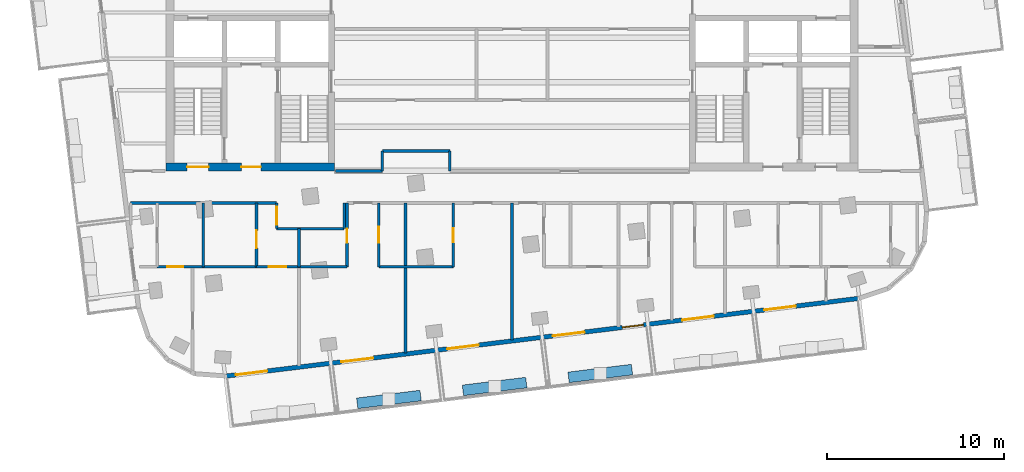
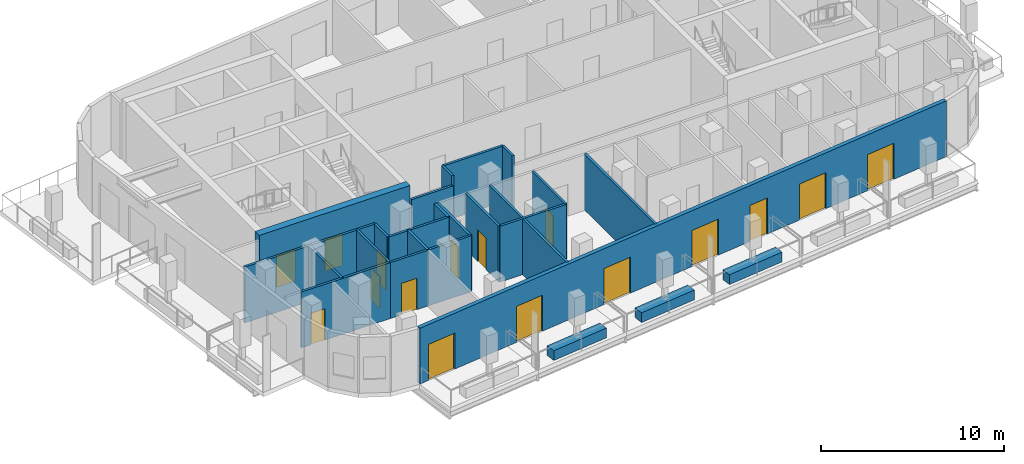
# One storey, part 3 of 11: 25 walls, 15 doors, 1 window, 16 openings.
"""IFC4 building model written with IfcOpenShell, lengths in metres."""

from ifc_helpers import new_model, si_unit, direction, frame, frame_2d, origin, place, context, subcontext, project, spatial, rectangle, extrude, material, layer, layer_set, type_object, element, fill, save


model = new_model("IFC4")

# Units and contexts
model_context = context("Model", 3, precision=1e-05, world=origin(), true_north=direction((0.0, 1.0)))
body_context = subcontext(model_context, "Body", "Model", "MODEL_VIEW")
ifc_project = project(units=[si_unit("LENGTHUNIT", "METRE"), si_unit("AREAUNIT", "SQUARE_METRE"), si_unit("VOLUMEUNIT", "CUBIC_METRE"), si_unit("PLANEANGLEUNIT", "RADIAN"), si_unit("MASSUNIT", "GRAM", prefix="KILO")], contexts=[model_context])

# Site, building, storey
site_placement = place(None, origin())
site = spatial("IfcSite", under=ifc_project, at=site_placement, CompositionType="ELEMENT")
building_placement = place(site_placement, origin())
building = spatial("IfcBuilding", under=site, at=building_placement, Name="Torana Hotel and Residences", CompositionType="ELEMENT")
storey_placement = place(building_placement, frame((0.0, 0.0, 322.60009765625)))
storey = spatial("IfcBuildingStorey", under=building, at=storey_placement, Name="L85", CompositionType="ELEMENT", Elevation=322.60009765625)

# Wall, openings, doors
ifc_material_1 = material(Name="Concrete C60/75", Category="concrete")
ifc_layer_1 = layer(ifc_material_1, 0.449951171875)
ifc_layer_set_1 = layer_set([ifc_layer_1], Name="CORE WALL 450 C60/75")
wall_type_1 = type_object("IfcWallType", Name="CORE WALL 450 C60/75", PredefinedType="SHEAR", material=ifc_layer_set_1)
wall_1_placement = place(storey_placement, frame((-19.5, -14.77490234375, 0.0), z_axis=(0.0, 0.0, 1.0), x_axis=(1.0, 0.0, 0.0)))
wall_1 = element("IfcWall", 1, at=wall_1_placement, inside=storey, type_object=wall_type_1, Name="Core wall W front", PredefinedType="SHEAR", context=body_context, shape_type="SweptSolid", body=[
    extrude(rectangle(XDim=9.5, YDim=0.449951171875, at=frame_2d((4.75, 0.0))), origin(), (0.0, 0.0, 1.0), 4.0),
])
opening_1_placement = place(wall_1_placement, frame((1.199951171875, 0.0, 0.0)))
opening_1 = element("IfcOpeningElement", 2, at=opening_1_placement, cuts=wall_1, Name="Opening L85-04", PredefinedType="OPENING", context=body_context, shape_type="SweptSolid", body=[
    extrude(rectangle(XDim=1.199951171875, YDim=2.10009765625, at=frame_2d((0.60009765625, 1.050048828125))), frame((0.0, 0.23486328125, 0.0), z_axis=(0.0, -1.0, 0.0), x_axis=(1.0, 0.0, 0.0)), (0.0, 0.0, 1.0), 0.469970703125),
])
opening_2_placement = place(wall_1_placement, frame((4.25, 0.0, 0.0)))
opening_2 = element("IfcOpeningElement", 3, at=opening_2_placement, cuts=wall_1, Name="Opening L85-05", PredefinedType="OPENING", context=body_context, shape_type="SweptSolid", body=[
    extrude(rectangle(XDim=1.10009765625, YDim=2.10009765625, at=frame_2d((0.550048828125, 1.050048828125))), frame((0.0, 0.23486328125, 0.0), z_axis=(0.0, -1.0, 0.0), x_axis=(1.0, 0.0, 0.0)), (0.0, 0.0, 1.0), 0.469970703125),
])
ifc_material_2 = material(Name="Steel S235", Category="steel")
door_type_1 = type_object("IfcDoorType", Name="FIRE-FIGHTING LOBBY DOOR D8 1100x2100", OperationType="SINGLE_SWING_LEFT", PredefinedType="DOOR", material=ifc_material_2)
door_1_placement = place(opening_2_placement, origin())
door_1 = element("IfcDoor", 4, at=door_1_placement, inside=storey, type_object=door_type_1, Name="FF-lobby door L85", OperationType="SINGLE_SWING_RIGHT", OverallHeight=2.10009765625, OverallWidth=1.10009765625, PredefinedType="DOOR", context=body_context, shape_type="SweptSolid", body=[
    extrude(rectangle(XDim=1.10009765625, YDim=2.10009765625, at=frame_2d((0.550048828125, 1.050048828125))), frame((0.0, 0.02490234375, 0.0), z_axis=(0.0, -1.0, 0.0), x_axis=(1.0, 0.0, 0.0)), (0.0, 0.0, 1.0), 0.050048828125),
])
fill(opening_2, door_1)
ifc_material_3 = material(Name="Steel S235", Category="steel")
door_type_2 = type_object("IfcDoorType", Name="STAIR FIRE DOOR D3 1200x2100", OperationType="SINGLE_SWING_LEFT", PredefinedType="DOOR", material=ifc_material_3)
door_2_placement = place(opening_1_placement, origin())
door_2 = element("IfcDoor", 5, at=door_2_placement, inside=storey, type_object=door_type_2, Name="Stair-B door L85", OperationType="SINGLE_SWING_RIGHT", OverallHeight=2.10009765625, OverallWidth=1.199951171875, PredefinedType="DOOR", context=body_context, shape_type="SweptSolid", body=[
    extrude(rectangle(XDim=1.199951171875, YDim=2.10009765625, at=frame_2d((0.60009765625, 1.050048828125))), frame((0.0, 0.02490234375, 0.0), z_axis=(0.0, -1.0, 0.0), x_axis=(1.0, 0.0, 0.0)), (0.0, 0.0, 1.0), 0.050048828125),
])
fill(opening_1, door_2)

# Wall, openings, doors, window
ifc_material_4 = material(Name="Black aluminium composite panel", Category="aluminium")
ifc_layer_2 = layer(ifc_material_4, 0.00390625, Name="Cladding", Category="cladding")
ifc_material_5 = material(Name="Ventilated air cavity")
ifc_layer_3 = layer(ifc_material_5, 0.0400390625, Name="Ventilated cavity", Category="cavity")
ifc_material_6 = material(Name="Mineral wool insulation")
ifc_layer_4 = layer(ifc_material_6, 0.090087890625, Name="Insulation", Category="insulation")
ifc_material_7 = material(Name="Steel S280GD", Category="steel")
ifc_layer_5 = layer(ifc_material_7, 0.092041015625, Name="Steel stud frame", Category="structure")
ifc_material_8 = material(Name="Fire rated plasterboard")
ifc_layer_6 = layer(ifc_material_8, 0.011962890625, Name="Inner board", Category="finish")
ifc_layer_7 = layer(ifc_material_8, 0.011962890625, Name="Second board", Category="finish")
ifc_layer_set_2 = layer_set([ifc_layer_2, ifc_layer_3, ifc_layer_4, ifc_layer_5, ifc_layer_6, ifc_layer_7], Name="EW1 EXTERNAL WALL BLACK METAL CLAD 250")
wall_type_2 = type_object("IfcWallType", Name="EW1 EXTERNAL WALL BLACK METAL CLAD 250", PredefinedType="SOLIDWALL", material=ifc_layer_set_2)
wall_2_placement = place(storey_placement, frame((-16.13818359375, -26.561279296875, 0.0), z_axis=(0.0, 0.0, 1.0), x_axis=(0.992546726876, 0.121864658405, 0.0)))
wall_2 = element("IfcWall", 6, at=wall_2_placement, inside=storey, type_object=wall_type_2, Name="External wall L85 e0.14", PredefinedType="SOLIDWALL", context=body_context, shape_type="SweptSolid", body=[
    extrude(rectangle(XDim=35.95068359375, YDim=0.25, at=frame_2d((17.975341796875, 0.0))), origin(), (0.0, 0.0, 1.0), 3.719970703125),
])
opening_3_placement = place(wall_2_placement, frame((0.574951171875, 0.0, 0.0)))
opening_3 = element("IfcOpeningElement", 7, at=opening_3_placement, cuts=wall_2, Name="Opening L85-E01", PredefinedType="OPENING", context=body_context, shape_type="SweptSolid", body=[
    extrude(rectangle(XDim=1.800048828125, YDim=2.39990234375, at=frame_2d((0.89990234375, 1.199951171875))), frame((0.0, 0.135009765625, 0.0), z_axis=(0.0, -1.0, 0.0), x_axis=(1.0, 0.0, 0.0)), (0.0, 0.0, 1.0), 0.27001953125),
])
opening_4_placement = place(wall_2_placement, frame((6.57568359375, 0.0, 0.0)))
opening_4 = element("IfcOpeningElement", 8, at=opening_4_placement, cuts=wall_2, Name="Opening L85-E02", PredefinedType="OPENING", context=body_context, shape_type="SweptSolid", body=[
    extrude(rectangle(XDim=1.800048828125, YDim=2.39990234375, at=frame_2d((0.89990234375, 1.199951171875))), frame((0.0, 0.135009765625, 0.0), z_axis=(0.0, -1.0, 0.0), x_axis=(1.0, 0.0, 0.0)), (0.0, 0.0, 1.0), 0.27001953125),
])
opening_5_placement = place(wall_2_placement, frame((12.575439453125, 0.0, 0.0)))
opening_5 = element("IfcOpeningElement", 9, at=opening_5_placement, cuts=wall_2, Name="Opening L85-E03", PredefinedType="OPENING", context=body_context, shape_type="SweptSolid", body=[
    extrude(rectangle(XDim=1.800048828125, YDim=2.39990234375, at=frame_2d((0.89990234375, 1.199951171875))), frame((0.0, 0.135009765625, 0.0), z_axis=(0.0, -1.0, 0.0), x_axis=(1.0, 0.0, 0.0)), (0.0, 0.0, 1.0), 0.27001953125),
])
opening_6_placement = place(wall_2_placement, frame((18.5751953125, 0.0, 0.0)))
opening_6 = element("IfcOpeningElement", 10, at=opening_6_placement, cuts=wall_2, Name="Opening L85-E04", PredefinedType="OPENING", context=body_context, shape_type="SweptSolid", body=[
    extrude(rectangle(XDim=1.800048828125, YDim=2.39990234375, at=frame_2d((0.89990234375, 1.199951171875))), frame((0.0, 0.135009765625, 0.0), z_axis=(0.0, -1.0, 0.0), x_axis=(1.0, 0.0, 0.0)), (0.0, 0.0, 1.0), 0.27001953125),
])
opening_7_placement = place(wall_2_placement, frame((22.527587890625, 0.0, 0.0)))
opening_7 = element("IfcOpeningElement", 11, at=opening_7_placement, cuts=wall_2, Name="Opening W9", PredefinedType="OPENING", context=body_context, shape_type="SweptSolid", body=[
    extrude(rectangle(XDim=1.199951171875, YDim=2.39990234375, at=frame_2d((0.60009765625, 1.199951171875))), frame((0.0, 0.135009765625, 0.0), z_axis=(0.0, -1.0, 0.0), x_axis=(1.0, 0.0, 0.0)), (0.0, 0.0, 1.0), 0.27001953125),
])
opening_8_placement = place(wall_2_placement, frame((25.923095703125, 0.0, 0.0)))
opening_8 = element("IfcOpeningElement", 12, at=opening_8_placement, cuts=wall_2, Name="Opening L85-E05", PredefinedType="OPENING", context=body_context, shape_type="SweptSolid", body=[
    extrude(rectangle(XDim=1.800048828125, YDim=2.39990234375, at=frame_2d((0.89990234375, 1.199951171875))), frame((0.0, 0.135009765625, 0.0), z_axis=(0.0, -1.0, 0.0), x_axis=(1.0, 0.0, 0.0)), (0.0, 0.0, 1.0), 0.27001953125),
])
opening_9_placement = place(wall_2_placement, frame((30.57568359375, 0.0, 0.0)))
opening_9 = element("IfcOpeningElement", 13, at=opening_9_placement, cuts=wall_2, Name="Opening L85-E06", PredefinedType="OPENING", context=body_context, shape_type="SweptSolid", body=[
    extrude(rectangle(XDim=1.800048828125, YDim=2.39990234375, at=frame_2d((0.89990234375, 1.199951171875))), frame((0.0, 0.135009765625, 0.0), z_axis=(0.0, -1.0, 0.0), x_axis=(1.0, 0.0, 0.0)), (0.0, 0.0, 1.0), 0.27001953125),
])
ifc_material_9 = material(Name="Dark glass in black aluminium frame", Category="aluminium")
door_type_3 = type_object("IfcDoorType", Name="DB1 BALCONY DOOR 1800x2400", OperationType="DOUBLE_DOOR_SINGLE_SWING", PredefinedType="DOOR", material=ifc_material_9)
door_3_placement = place(opening_3_placement, origin())
door_3 = element("IfcDoor", 14, at=door_3_placement, inside=storey, type_object=door_type_3, Name="Balcony door L85", OperationType="DOUBLE_DOOR_SINGLE_SWING", OverallHeight=2.39990234375, OverallWidth=1.800048828125, PredefinedType="DOOR", context=body_context, shape_type="SweptSolid", body=[
    extrude(rectangle(XDim=1.800048828125, YDim=2.39990234375, at=frame_2d((0.89990234375, 1.199951171875))), frame((0.0, 0.02490234375, 0.0), z_axis=(0.0, -1.0, 0.0), x_axis=(1.0, 0.0, 0.0)), (0.0, 0.0, 1.0), 0.050048828125),
])
fill(opening_3, door_3)
door_4_placement = place(opening_4_placement, origin())
door_4 = element("IfcDoor", 15, at=door_4_placement, inside=storey, type_object=door_type_3, Name="Balcony door L85", OperationType="DOUBLE_DOOR_SINGLE_SWING", OverallHeight=2.39990234375, OverallWidth=1.800048828125, PredefinedType="DOOR", context=body_context, shape_type="SweptSolid", body=[
    extrude(rectangle(XDim=1.800048828125, YDim=2.39990234375, at=frame_2d((0.89990234375, 1.199951171875))), frame((0.0, 0.02490234375, 0.0), z_axis=(0.0, -1.0, 0.0), x_axis=(1.0, 0.0, 0.0)), (0.0, 0.0, 1.0), 0.050048828125),
])
fill(opening_4, door_4)
door_5_placement = place(opening_5_placement, origin())
door_5 = element("IfcDoor", 16, at=door_5_placement, inside=storey, type_object=door_type_3, Name="Balcony door L85", OperationType="DOUBLE_DOOR_SINGLE_SWING", OverallHeight=2.39990234375, OverallWidth=1.800048828125, PredefinedType="DOOR", context=body_context, shape_type="SweptSolid", body=[
    extrude(rectangle(XDim=1.800048828125, YDim=2.39990234375, at=frame_2d((0.89990234375, 1.199951171875))), frame((0.0, 0.02490234375, 0.0), z_axis=(0.0, -1.0, 0.0), x_axis=(1.0, 0.0, 0.0)), (0.0, 0.0, 1.0), 0.050048828125),
])
fill(opening_5, door_5)
door_6_placement = place(opening_6_placement, origin())
door_6 = element("IfcDoor", 17, at=door_6_placement, inside=storey, type_object=door_type_3, Name="Balcony door L85", OperationType="DOUBLE_DOOR_SINGLE_SWING", OverallHeight=2.39990234375, OverallWidth=1.800048828125, PredefinedType="DOOR", context=body_context, shape_type="SweptSolid", body=[
    extrude(rectangle(XDim=1.800048828125, YDim=2.39990234375, at=frame_2d((0.89990234375, 1.199951171875))), frame((0.0, 0.02490234375, 0.0), z_axis=(0.0, -1.0, 0.0), x_axis=(1.0, 0.0, 0.0)), (0.0, 0.0, 1.0), 0.050048828125),
])
fill(opening_6, door_6)
door_7_placement = place(opening_8_placement, origin())
door_7 = element("IfcDoor", 18, at=door_7_placement, inside=storey, type_object=door_type_3, Name="Balcony door L85", OperationType="DOUBLE_DOOR_SINGLE_SWING", OverallHeight=2.39990234375, OverallWidth=1.800048828125, PredefinedType="DOOR", context=body_context, shape_type="SweptSolid", body=[
    extrude(rectangle(XDim=1.800048828125, YDim=2.39990234375, at=frame_2d((0.89990234375, 1.199951171875))), frame((0.0, 0.02490234375, 0.0), z_axis=(0.0, -1.0, 0.0), x_axis=(1.0, 0.0, 0.0)), (0.0, 0.0, 1.0), 0.050048828125),
])
fill(opening_8, door_7)
door_8_placement = place(opening_9_placement, origin())
door_8 = element("IfcDoor", 19, at=door_8_placement, inside=storey, type_object=door_type_3, Name="Balcony door L85", OperationType="DOUBLE_DOOR_SINGLE_SWING", OverallHeight=2.39990234375, OverallWidth=1.800048828125, PredefinedType="DOOR", context=body_context, shape_type="SweptSolid", body=[
    extrude(rectangle(XDim=1.800048828125, YDim=2.39990234375, at=frame_2d((0.89990234375, 1.199951171875))), frame((0.0, 0.02490234375, 0.0), z_axis=(0.0, -1.0, 0.0), x_axis=(1.0, 0.0, 0.0)), (0.0, 0.0, 1.0), 0.050048828125),
])
fill(opening_9, door_8)
ifc_material_10 = material(Name="Dark glass in black aluminium frame", Category="aluminium")
window_type = type_object("IfcWindowType", Name="W9 CLUB GLAZED SLOT 1200x2400", PartitioningType="SINGLE_PANEL", PredefinedType="WINDOW", material=ifc_material_10)
window_placement = place(opening_7_placement, origin())
window = element("IfcWindow", 20, at=window_placement, inside=storey, type_object=window_type, Name="Window L85", OverallHeight=2.39990234375, OverallWidth=1.199951171875, PartitioningType="SINGLE_PANEL", PredefinedType="WINDOW", context=body_context, shape_type="SweptSolid", body=[
    extrude(rectangle(XDim=1.199951171875, YDim=2.39990234375, at=frame_2d((0.60009765625, 1.199951171875))), frame((0.0, 0.030029296875, 0.0), z_axis=(0.0, -1.0, 0.0), x_axis=(1.0, 0.0, 0.0)), (0.0, 0.0, 1.0), 0.06005859375),
])
fill(opening_7, window)

# Walls
ifc_material_11 = material(Name="Gypsum plaster")
ifc_layer_8 = layer(ifc_material_11, 0.014892578125, Name="Plaster", Category="finish")
ifc_material_12 = material(Name="Concrete blockwork", Category="masonry")
ifc_layer_9 = layer(ifc_material_12, 0.1201171875, Name="Blockwork", Category="structure")
ifc_layer_10 = layer(ifc_material_11, 0.014892578125, Name="Plaster", Category="finish")
ifc_layer_set_3 = layer_set([ifc_layer_8, ifc_layer_9, ifc_layer_10], Name="FIRE PARTITION 150 BLOCKWORK")
wall_type_3 = type_object("IfcWallType", Name="FIRE PARTITION 150 BLOCKWORK", PredefinedType="PARTITIONING", material=ifc_layer_set_3)
for number, where, z_axis, x_axis, name in (
    (21, (-3.506103515625, -15.0, 0.0), (0.0, 0.0, 1.0), (0.0, 1.0, 0.0), "Partition L85"),
    (22, (-7.30810546875, -15.0, 0.0), (0.0, 0.0, 1.0), (0.0, 1.0, 0.0), "Partition L85"),
):
    element("IfcWall", number, at=place(storey_placement, frame(where, z_axis=z_axis, x_axis=x_axis)), inside=storey, type_object=wall_type_3, Name=name, PredefinedType="PARTITIONING", context=body_context, shape_type="SweptSolid", body=[
        extrude(rectangle(XDim=1.1279296875, YDim=0.14990234375, at=frame_2d((0.56396484375, 0.0))), origin(), (0.0, 0.0, 1.0), 3.719970703125),
    ])
wall_3_placement = place(storey_placement, frame((-9.4609375, -18.2548828125, 0.0), z_axis=(0.0, 0.0, 1.0), x_axis=(0.0, 1.0, 0.0)))
element("IfcWall", 23, at=wall_3_placement, inside=storey, type_object=wall_type_3, Name="Partition L85", PredefinedType="PARTITIONING", context=body_context, shape_type="SweptSolid", body=[
    extrude(rectangle(XDim=1.454833984375, YDim=0.14990234375, at=frame_2d((0.7275390625, 0.0))), origin(), (0.0, 0.0, 1.0), 3.719970703125),
])
wall_4_placement = place(storey_placement, frame((-12.0, -20.39990234375, 0.0), z_axis=(0.0, 0.0, 1.0), x_axis=(0.0, 1.0, 0.0)))
element("IfcWall", 24, at=wall_4_placement, inside=storey, type_object=wall_type_3, Name="Partition L85", PredefinedType="PARTITIONING", context=body_context, shape_type="SweptSolid", body=[
    extrude(rectangle(XDim=2.14501953125, YDim=0.14990234375, at=frame_2d((1.072509765625, 0.0))), origin(), (0.0, 0.0, 1.0), 3.719970703125),
])

# Wall, opening, door
wall_5_placement = place(storey_placement, frame((-13.262939453125, -18.2548828125, 0.0), z_axis=(0.0, 0.0, 1.0), x_axis=(0.0, 1.0, 0.0)))
wall_5 = element("IfcWall", 25, at=wall_5_placement, inside=storey, type_object=wall_type_3, Name="Partition L85", PredefinedType="PARTITIONING", context=body_context, shape_type="SweptSolid", body=[
    extrude(rectangle(XDim=1.454833984375, YDim=0.14990234375, at=frame_2d((0.7275390625, 0.0))), origin(), (0.0, 0.0, 1.0), 3.719970703125),
])
opening_10_placement = place(wall_5_placement, frame((0.22802734375, 0.0, 0.0)))
opening_10 = element("IfcOpeningElement", 26, at=opening_10_placement, cuts=wall_5, Name="Opening L85-23", PredefinedType="OPENING", context=body_context, shape_type="SweptSolid", body=[
    extrude(rectangle(XDim=1.0, YDim=2.10009765625, at=frame_2d((0.5, 1.050048828125))), frame((0.0, 0.0849609375, 0.0), z_axis=(0.0, -1.0, 0.0), x_axis=(1.0, 0.0, 0.0)), (0.0, 0.0, 1.0), 0.169921875),
])
ifc_material_13 = material(Name="Steel S235", Category="steel")
door_type_4 = type_object("IfcDoorType", Name="ENTRY FIRE DOOR D6 1000x2100", OperationType="SINGLE_SWING_LEFT", PredefinedType="DOOR", material=ifc_material_13)
door_9_placement = place(opening_10_placement, frame((0.5, 0.0, 0.0), z_axis=(0.0, 0.0, 1.0), x_axis=(-1.0, 0.0, 0.0)))
door_9 = element("IfcDoor", 27, at=door_9_placement, inside=storey, type_object=door_type_4, Name="Door L85", OperationType="SINGLE_SWING_LEFT", OverallHeight=2.10009765625, OverallWidth=1.0, PredefinedType="DOOR", context=body_context, shape_type="SweptSolid", body=[
    extrude(rectangle(XDim=1.0, YDim=2.10009765625, at=frame_2d((0.0, 1.050048828125))), frame((0.0, -0.02490234375, 0.0), z_axis=(0.0, 1.0, 0.0), x_axis=(-1.0, 0.0, 0.0)), (0.0, 0.0, 1.0), 0.050048828125),
])
fill(opening_10, door_9)

wall_6_placement = place(storey_placement, frame((-14.39990234375, -20.39990234375, 0.0), z_axis=(0.0, 0.0, 1.0), x_axis=(0.0, 1.0, 0.0)))
wall_6 = element("IfcWall", 28, at=wall_6_placement, inside=storey, type_object=wall_type_3, Name="Partition L85", PredefinedType="PARTITIONING", context=body_context, shape_type="SweptSolid", body=[
    extrude(rectangle(XDim=3.599853515625, YDim=0.14990234375, at=frame_2d((1.7998046875, 0.0))), origin(), (0.0, 0.0, 1.0), 3.719970703125),
])
opening_11_placement = place(wall_6_placement, frame((1.050048828125, 0.0, 0.0)))
opening_11 = element("IfcOpeningElement", 29, at=opening_11_placement, cuts=wall_6, Name="Opening L85-43", PredefinedType="OPENING", context=body_context, shape_type="SweptSolid", body=[
    extrude(rectangle(XDim=1.0, YDim=2.10009765625, at=frame_2d((0.5, 1.050048828125))), frame((0.0, 0.0849609375, 0.0), z_axis=(0.0, -1.0, 0.0), x_axis=(1.0, 0.0, 0.0)), (0.0, 0.0, 1.0), 0.169921875),
])
door_10_placement = place(opening_11_placement, origin())
door_10 = element("IfcDoor", 30, at=door_10_placement, inside=storey, type_object=door_type_4, Name="Door L85", OperationType="SINGLE_SWING_RIGHT", OverallHeight=2.10009765625, OverallWidth=1.0, PredefinedType="DOOR", context=body_context, shape_type="SweptSolid", body=[
    extrude(rectangle(XDim=1.0, YDim=2.10009765625, at=frame_2d((0.5, 1.050048828125))), frame((0.0, 0.02490234375, 0.0), z_axis=(0.0, -1.0, 0.0), x_axis=(1.0, 0.0, 0.0)), (0.0, 0.0, 1.0), 0.050048828125),
])
fill(opening_11, door_10)

wall_7_placement = place(storey_placement, frame((-14.39990234375, -20.39990234375, 0.0), z_axis=(0.0, 0.0, 1.0), x_axis=(1.0, 0.0, 0.0)))
wall_7 = element("IfcWall", 31, at=wall_7_placement, inside=storey, type_object=wall_type_3, Name="Partition L85", PredefinedType="PARTITIONING", context=body_context, shape_type="SweptSolid", body=[
    extrude(rectangle(XDim=2.39990234375, YDim=0.14990234375, at=frame_2d((1.199951171875, 0.0))), origin(), (0.0, 0.0, 1.0), 3.719970703125),
])
opening_12_placement = place(wall_7_placement, frame((0.679931640625, 0.0, 0.0)))
opening_12 = element("IfcOpeningElement", 32, at=opening_12_placement, cuts=wall_7, Name="Opening L85-44", PredefinedType="OPENING", context=body_context, shape_type="SweptSolid", body=[
    extrude(rectangle(XDim=1.0, YDim=2.10009765625, at=frame_2d((0.5, 1.050048828125))), frame((0.0, 0.0849609375, 0.0), z_axis=(0.0, -1.0, 0.0), x_axis=(1.0, 0.0, 0.0)), (0.0, 0.0, 1.0), 0.169921875),
])
door_11_placement = place(opening_12_placement, frame((0.5, 0.0, 0.0), z_axis=(0.0, 0.0, 1.0), x_axis=(-1.0, 0.0, 0.0)))
door_11 = element("IfcDoor", 33, at=door_11_placement, inside=storey, type_object=door_type_4, Name="Door L85", OperationType="SINGLE_SWING_RIGHT", OverallHeight=2.10009765625, OverallWidth=1.0, PredefinedType="DOOR", context=body_context, shape_type="SweptSolid", body=[
    extrude(rectangle(XDim=1.0, YDim=2.10009765625, at=frame_2d((0.0, 1.050048828125))), frame((0.0, -0.02490234375, 0.0), z_axis=(0.0, 1.0, 0.0), x_axis=(-1.0, 0.0, 0.0)), (0.0, 0.0, 1.0), 0.050048828125),
])
fill(opening_12, door_11)

# Walls
wall_8_placement = place(storey_placement, frame((-13.262939453125, -18.2548828125, 0.0), z_axis=(0.0, 0.0, 1.0), x_axis=(1.0, 0.0, 0.0)))
element("IfcWall", 34, at=wall_8_placement, inside=storey, type_object=wall_type_3, Name="Partition L85", PredefinedType="PARTITIONING", context=body_context, shape_type="SweptSolid", body=[
    extrude(rectangle(XDim=3.802001953125, YDim=0.14990234375, at=frame_2d((1.90087890625, 0.0))), origin(), (0.0, 0.0, 1.0), 3.719970703125),
])
wall_9_placement = place(storey_placement, frame((-21.489990234375, -16.800048828125, 0.0), z_axis=(0.0, 0.0, 1.0), x_axis=(1.0, 0.0, 0.0)))
element("IfcWall", 35, at=wall_9_placement, inside=storey, type_object=wall_type_3, Name="Partition L85", PredefinedType="PARTITIONING", context=body_context, shape_type="SweptSolid", body=[
    extrude(rectangle(XDim=8.22705078125, YDim=0.14990234375, at=frame_2d((4.113525390625, 0.0))), origin(), (0.0, 0.0, 1.0), 3.719970703125),
])
wall_10_placement = place(storey_placement, frame((-9.949951171875, -15.0, 0.0), z_axis=(0.0, 0.0, 1.0), x_axis=(1.0, 0.0, 0.0)))
element("IfcWall", 36, at=wall_10_placement, inside=storey, type_object=wall_type_3, Name="Partition L85", PredefinedType="PARTITIONING", context=body_context, shape_type="SweptSolid", body=[
    extrude(rectangle(XDim=2.641845703125, YDim=0.14990234375, at=frame_2d((1.32080078125, 0.0))), origin(), (0.0, 0.0, 1.0), 3.083984375),
])
wall_11_placement = place(storey_placement, frame((-7.30810546875, -13.8720703125, 0.0), z_axis=(0.0, 0.0, 1.0), x_axis=(1.0, 0.0, 0.0)))
element("IfcWall", 37, at=wall_11_placement, inside=storey, type_object=wall_type_3, Name="Partition L85", PredefinedType="PARTITIONING", context=body_context, shape_type="SweptSolid", body=[
    extrude(rectangle(XDim=3.802001953125, YDim=0.14990234375, at=frame_2d((1.90087890625, 0.0))), origin(), (0.0, 0.0, 1.0), 3.719970703125),
])
ifc_material_14 = material(Name="Gypsum plasterboard")
ifc_layer_11 = layer(ifc_material_14, 0.012451171875, Name="Plasterboard", Category="finish")
ifc_layer_12 = layer(ifc_material_14, 0.012451171875, Name="Plasterboard", Category="finish")
ifc_layer_13 = layer(ifc_material_7, 0.10009765625, Name="Steel studs with mineral wool", Category="insulation")
ifc_layer_14 = layer(ifc_material_14, 0.012451171875, Name="Plasterboard", Category="finish")
ifc_layer_15 = layer(ifc_material_14, 0.012451171875, Name="Plasterboard", Category="finish")
ifc_layer_set_4 = layer_set([ifc_layer_11, ifc_layer_12, ifc_layer_13, ifc_layer_14, ifc_layer_15], Name="PARTITION 150 PLASTERBOARD")
wall_type_4 = type_object("IfcWallType", Name="PARTITION 150 PLASTERBOARD", PredefinedType="PARTITIONING", material=ifc_layer_set_4)
wall_12_placement = place(storey_placement, frame((0.0, -24.5244140625, 0.0), z_axis=(0.0, 0.0, 1.0), x_axis=(0.0, 1.0, 0.0)))
element("IfcWall", 38, at=wall_12_placement, inside=storey, type_object=wall_type_4, Name="Partition L85", PredefinedType="PARTITIONING", context=body_context, shape_type="SweptSolid", body=[
    extrude(rectangle(XDim=7.724365234375, YDim=0.14990234375, at=frame_2d((3.8623046875, 0.0))), origin(), (0.0, 0.0, 1.0), 3.719970703125),
])

# Wall, opening, door
wall_13_placement = place(storey_placement, frame((-3.300048828125, -20.39990234375, 0.0), z_axis=(0.0, 0.0, 1.0), x_axis=(0.0, 1.0, 0.0)))
wall_13 = element("IfcWall", 39, at=wall_13_placement, inside=storey, type_object=wall_type_4, Name="Partition L85", PredefinedType="PARTITIONING", context=body_context, shape_type="SweptSolid", body=[
    extrude(rectangle(XDim=3.599853515625, YDim=0.14990234375, at=frame_2d((1.7998046875, 0.0))), origin(), (0.0, 0.0, 1.0), 3.719970703125),
])
opening_13_placement = place(wall_13_placement, frame((1.3798828125, 0.0, 0.0)))
opening_13 = element("IfcOpeningElement", 40, at=opening_13_placement, cuts=wall_13, Name="Opening L85-38", PredefinedType="OPENING", context=body_context, shape_type="SweptSolid", body=[
    extrude(rectangle(XDim=0.800048828125, YDim=2.10009765625, at=frame_2d((0.39990234375, 1.050048828125))), frame((0.0, 0.0849609375, 0.0), z_axis=(0.0, -1.0, 0.0), x_axis=(1.0, 0.0, 0.0)), (0.0, 0.0, 1.0), 0.169921875),
])
ifc_material_15 = material(Name="Timber door, painted", Category="wood")
door_type_5 = type_object("IfcDoorType", Name="BATH DOOR D13 800x2100", OperationType="SINGLE_SWING_LEFT", PredefinedType="DOOR", material=ifc_material_15)
door_12_placement = place(opening_13_placement, origin())
door_12 = element("IfcDoor", 41, at=door_12_placement, inside=storey, type_object=door_type_5, Name="Door L85", OperationType="SINGLE_SWING_RIGHT", OverallHeight=2.10009765625, OverallWidth=0.800048828125, PredefinedType="DOOR", context=body_context, shape_type="SweptSolid", body=[
    extrude(rectangle(XDim=0.800048828125, YDim=2.10009765625, at=frame_2d((0.39990234375, 1.050048828125))), frame((0.0, 0.02490234375, 0.0), z_axis=(0.0, -1.0, 0.0), x_axis=(1.0, 0.0, 0.0)), (0.0, 0.0, 1.0), 0.050048828125),
])
fill(opening_13, door_12)

# Wall
wall_14_placement = place(storey_placement, frame((-6.0, -25.26123046875, 0.0), z_axis=(0.0, 0.0, 1.0), x_axis=(0.0, 1.0, 0.0)))
element("IfcWall", 42, at=wall_14_placement, inside=storey, type_object=wall_type_4, Name="Partition L85", PredefinedType="PARTITIONING", context=body_context, shape_type="SweptSolid", body=[
    extrude(rectangle(XDim=8.461181640625, YDim=0.14990234375, at=frame_2d((4.23046875, 0.0))), origin(), (0.0, 0.0, 1.0), 3.719970703125),
])

# Wall, opening, door
wall_15_placement = place(storey_placement, frame((-7.5, -20.39990234375, 0.0), z_axis=(0.0, 0.0, 1.0), x_axis=(0.0, 1.0, 0.0)))
wall_15 = element("IfcWall", 43, at=wall_15_placement, inside=storey, type_object=wall_type_4, Name="Partition L85", PredefinedType="PARTITIONING", context=body_context, shape_type="SweptSolid", body=[
    extrude(rectangle(XDim=3.599853515625, YDim=0.14990234375, at=frame_2d((1.7998046875, 0.0))), origin(), (0.0, 0.0, 1.0), 3.719970703125),
])
opening_14_placement = place(wall_15_placement, frame((1.35009765625, 0.0, 0.0)))
opening_14 = element("IfcOpeningElement", 44, at=opening_14_placement, cuts=wall_15, Name="Opening L85-37", PredefinedType="OPENING", context=body_context, shape_type="SweptSolid", body=[
    extrude(rectangle(XDim=0.89990234375, YDim=2.10009765625, at=frame_2d((0.449951171875, 1.050048828125))), frame((0.0, 0.0849609375, 0.0), z_axis=(0.0, -1.0, 0.0), x_axis=(1.0, 0.0, 0.0)), (0.0, 0.0, 1.0), 0.169921875),
])
ifc_material_16 = material(Name="Timber door, oiled ash", Category="wood")
door_type_6 = type_object("IfcDoorType", Name="ROOM DOOR D7 900x2100", OperationType="SINGLE_SWING_LEFT", PredefinedType="DOOR", material=ifc_material_16)
door_13_placement = place(opening_14_placement, origin())
door_13 = element("IfcDoor", 45, at=door_13_placement, inside=storey, type_object=door_type_6, Name="Door L85", OperationType="SINGLE_SWING_LEFT", OverallHeight=2.10009765625, OverallWidth=0.89990234375, PredefinedType="DOOR", context=body_context, shape_type="SweptSolid", body=[
    extrude(rectangle(XDim=0.89990234375, YDim=2.10009765625, at=frame_2d((0.449951171875, 1.050048828125))), frame((0.0, 0.02490234375, 0.0), z_axis=(0.0, -1.0, 0.0), x_axis=(1.0, 0.0, 0.0)), (0.0, 0.0, 1.0), 0.050048828125),
])
fill(opening_14, door_13)

wall_16_placement = place(storey_placement, frame((-9.300048828125, -20.39990234375, 0.0), z_axis=(0.0, 0.0, 1.0), x_axis=(0.0, 1.0, 0.0)))
wall_16 = element("IfcWall", 46, at=wall_16_placement, inside=storey, type_object=wall_type_4, Name="Partition L85", PredefinedType="PARTITIONING", context=body_context, shape_type="SweptSolid", body=[
    extrude(rectangle(XDim=3.599853515625, YDim=0.14990234375, at=frame_2d((1.7998046875, 0.0))), origin(), (0.0, 0.0, 1.0), 3.719970703125),
])
opening_15_placement = place(wall_16_placement, frame((1.35009765625, 0.0, 0.0)))
opening_15 = element("IfcOpeningElement", 47, at=opening_15_placement, cuts=wall_16, Name="Opening L85-36", PredefinedType="OPENING", context=body_context, shape_type="SweptSolid", body=[
    extrude(rectangle(XDim=0.800048828125, YDim=2.10009765625, at=frame_2d((0.39990234375, 1.050048828125))), frame((0.0, 0.0849609375, 0.0), z_axis=(0.0, -1.0, 0.0), x_axis=(1.0, 0.0, 0.0)), (0.0, 0.0, 1.0), 0.169921875),
])
door_14_placement = place(opening_15_placement, frame((0.39990234375, 0.0, 0.0), z_axis=(0.0, 0.0, 1.0), x_axis=(-1.0, 0.0, 0.0)))
door_14 = element("IfcDoor", 48, at=door_14_placement, inside=storey, type_object=door_type_5, Name="Door L85", OperationType="SINGLE_SWING_RIGHT", OverallHeight=2.10009765625, OverallWidth=0.800048828125, PredefinedType="DOOR", context=body_context, shape_type="SweptSolid", body=[
    extrude(rectangle(XDim=0.800048828125, YDim=2.10009765625, at=frame_2d((0.0, 1.050048828125))), frame((0.0, -0.02490234375, 0.0), z_axis=(0.0, 1.0, 0.0), x_axis=(-1.0, 0.0, 0.0)), (0.0, 0.0, 1.0), 0.050048828125),
])
fill(opening_15, door_14)

# Wall
wall_17_placement = place(storey_placement, frame((-17.39990234375, -20.39990234375, 0.0), z_axis=(0.0, 0.0, 1.0), x_axis=(0.0, 1.0, 0.0)))
element("IfcWall", 49, at=wall_17_placement, inside=storey, type_object=wall_type_4, Name="Partition L85", PredefinedType="PARTITIONING", context=body_context, shape_type="SweptSolid", body=[
    extrude(rectangle(XDim=3.599853515625, YDim=0.14990234375, at=frame_2d((1.7998046875, 0.0))), origin(), (0.0, 0.0, 1.0), 3.719970703125),
])

# Wall, opening, door
wall_18_placement = place(storey_placement, frame((-19.989990234375, -20.39990234375, 0.0), z_axis=(0.0, 0.0, 1.0), x_axis=(1.0, 0.0, 0.0)))
wall_18 = element("IfcWall", 50, at=wall_18_placement, inside=storey, type_object=wall_type_4, Name="Partition L85", PredefinedType="PARTITIONING", context=body_context, shape_type="SweptSolid", body=[
    extrude(rectangle(XDim=5.590087890625, YDim=0.14990234375, at=frame_2d((2.794921875, 0.0))), origin(), (0.0, 0.0, 1.0), 3.719970703125),
])
opening_16_placement = place(wall_18_placement, frame((0.570068359375, 0.0, 0.0)))
opening_16 = element("IfcOpeningElement", 51, at=opening_16_placement, cuts=wall_18, Name="Opening L85-45", PredefinedType="OPENING", context=body_context, shape_type="SweptSolid", body=[
    extrude(rectangle(XDim=0.89990234375, YDim=2.10009765625, at=frame_2d((0.449951171875, 1.050048828125))), frame((0.0, 0.0849609375, 0.0), z_axis=(0.0, -1.0, 0.0), x_axis=(1.0, 0.0, 0.0)), (0.0, 0.0, 1.0), 0.169921875),
])
door_15_placement = place(opening_16_placement, origin())
door_15 = element("IfcDoor", 52, at=door_15_placement, inside=storey, type_object=door_type_6, Name="Door L85", OperationType="SINGLE_SWING_RIGHT", OverallHeight=2.10009765625, OverallWidth=0.89990234375, PredefinedType="DOOR", context=body_context, shape_type="SweptSolid", body=[
    extrude(rectangle(XDim=0.89990234375, YDim=2.10009765625, at=frame_2d((0.449951171875, 1.050048828125))), frame((0.0, 0.02490234375, 0.0), z_axis=(0.0, -1.0, 0.0), x_axis=(1.0, 0.0, 0.0)), (0.0, 0.0, 1.0), 0.050048828125),
])
fill(opening_16, door_15)

# Walls
wall_19_placement = place(storey_placement, frame((-12.0, -20.39990234375, 0.0), z_axis=(0.0, 0.0, 1.0), x_axis=(1.0, 0.0, 0.0)))
element("IfcWall", 53, at=wall_19_placement, inside=storey, type_object=wall_type_4, Name="Partition L85", PredefinedType="PARTITIONING", context=body_context, shape_type="SweptSolid", body=[
    extrude(rectangle(XDim=2.699951171875, YDim=0.14990234375, at=frame_2d((1.35009765625, 0.0))), origin(), (0.0, 0.0, 1.0), 3.719970703125),
])
wall_20_placement = place(storey_placement, frame((-7.5, -20.39990234375, 0.0), z_axis=(0.0, 0.0, 1.0), x_axis=(1.0, 0.0, 0.0)))
element("IfcWall", 54, at=wall_20_placement, inside=storey, type_object=wall_type_4, Name="Partition L85", PredefinedType="PARTITIONING", context=body_context, shape_type="SweptSolid", body=[
    extrude(rectangle(XDim=4.199951171875, YDim=0.14990234375, at=frame_2d((2.10009765625, 0.0))), origin(), (0.0, 0.0, 1.0), 3.719970703125),
])
ifc_material_17 = material(Name="Concrete C40/50 precast", Category="concrete")
ifc_layer_16 = layer(ifc_material_17, 0.10009765625, Name="Planter shell", Category="structure")
ifc_material_18 = material(Name="Root resistant membrane")
ifc_layer_17 = layer(ifc_material_18, 0.00390625, Name="Waterproofing membrane", Category="membrane")
ifc_material_19 = material(Name="Drainage board with filter fleece")
ifc_layer_18 = layer(ifc_material_19, 0.02001953125, Name="Drainage board", Category="drainage")
ifc_material_20 = material(Name="Growing medium")
ifc_layer_19 = layer(ifc_material_20, 0.47607421875, Name="Planting substrate", Category="soil")
ifc_layer_set_5 = layer_set([ifc_layer_16, ifc_layer_17, ifc_layer_18, ifc_layer_19], Name="PL1 BALCONY PLANTER 600")
wall_type_5 = type_object("IfcWallType", Name="PL1 BALCONY PLANTER 600", PredefinedType="USERDEFINED", material=ifc_layer_set_5)
for number, where, z_axis, x_axis, name in (
    (55, (-5.147705078125, -27.6552734375, 0.0), (0.0, 0.0, 1.0), (-0.992545758265, -0.121872547154, 0.0), "Planter 02"),
    (56, (0.8076171875, -26.924072265625, 0.0), (0.0, 0.0, 1.0), (-0.992545758265, -0.121872547154, 0.0), "Planter 03"),
):
    element("IfcWall", number, at=place(storey_placement, frame(where, z_axis=z_axis, x_axis=x_axis)), inside=storey, type_object=wall_type_5, Name=name, ObjectType="PLANTER", PredefinedType="USERDEFINED", context=body_context, shape_type="SweptSolid", body=[
        extrude(rectangle(XDim=3.599853515625, YDim=0.60009765625, at=frame_2d((1.7998046875, 0.0))), origin(), (0.0, 0.0, 1.0), 0.64990234375),
    ])
wall_21_placement = place(storey_placement, frame((6.762939453125, -26.19287109375, 0.0), z_axis=(0.0, 0.0, 1.0), x_axis=(-0.992546765488, -0.121864343918, 0.0)))
element("IfcWall", 57, at=wall_21_placement, inside=storey, type_object=wall_type_5, Name="Planter 04", ObjectType="PLANTER", PredefinedType="USERDEFINED", context=body_context, shape_type="SweptSolid", body=[
    extrude(rectangle(XDim=3.60009765625, YDim=0.60009765625, at=frame_2d((1.800048828125, 0.0))), origin(), (0.0, 0.0, 1.0), 0.64990234375),
])

save(model, "model.ifc")
